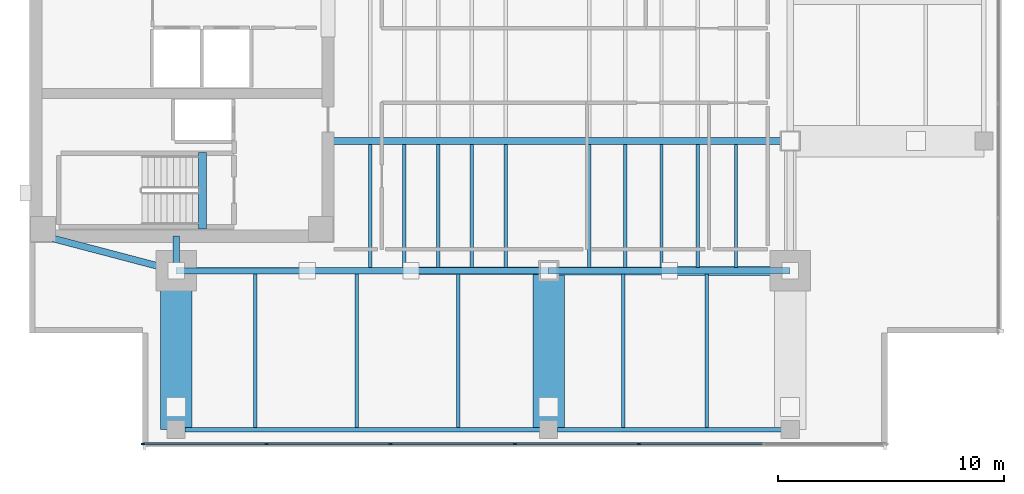
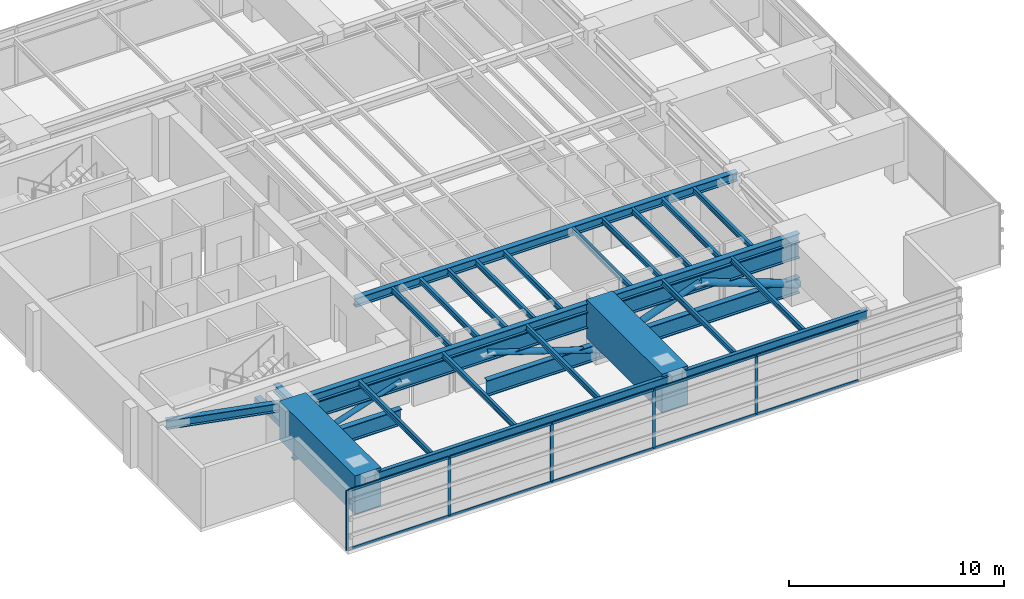
# One storey, part 2 of 13: 25 beams, 24 members, 1 element without a shape of its own.
"""IFC4 building model written with IfcOpenShell, lengths in metres."""

from ifc_helpers import new_model, si_unit, direction, frame, origin, origin_2d, place, context, subcontext, project, spatial, rectangle, hollow_circle, i_section, extrude, material, layer, layer_set, material_profile, profile_set, type_object, element, aggregate, save


model = new_model("IFC4")

# Units and contexts
model_context = context("Model", 3, precision=1e-05, world=origin(), true_north=direction((0.0, 1.0)))
body_context = subcontext(model_context, "Body", "Model", "MODEL_VIEW")
ifc_project = project(units=[si_unit("LENGTHUNIT", "METRE"), si_unit("AREAUNIT", "SQUARE_METRE"), si_unit("VOLUMEUNIT", "CUBIC_METRE"), si_unit("PLANEANGLEUNIT", "RADIAN"), si_unit("MASSUNIT", "GRAM", prefix="KILO")], contexts=[model_context])

# Site, building, storey
site_placement = place(None, origin())
site = spatial("IfcSite", under=ifc_project, at=site_placement, CompositionType="ELEMENT")
building_placement = place(site_placement, origin())
building = spatial("IfcBuilding", under=site, at=building_placement, Name="Kinhvarn Gate Tower", CompositionType="ELEMENT")
storey_placement = place(building_placement, frame((0.0, 0.0, 241.300048828125)))
storey = spatial("IfcBuildingStorey", under=building, at=storey_placement, Name="L64", CompositionType="ELEMENT", Elevation=241.300048828125)

# Beams
ifc_material_1 = material(Name="Concrete C50/60", Category="concrete")
ifc_material_profile_1 = material_profile(ifc_material_1, rectangle(XDim=0.340087890625, YDim=0.320068359375, at=origin_2d()), Name="RC 340x320")
ifc_profile_set_1 = profile_set([ifc_material_profile_1], Name="Concrete C50/60")
beam_type_1 = type_object("IfcBeamType", Name="BM-LND-500", PredefinedType="BEAM", material=ifc_profile_set_1)
beam_1_placement = place(storey_placement, frame((12.1650390625, 14.60009765625, -0.16015625), z_axis=(0.0, 1.0, 0.0), x_axis=(-1.0, 0.0, 0.0)))
element("IfcBeam", 1, at=beam_1_placement, inside=storey, type_object=beam_type_1, Name="Stair ST1 Landing Nosing Beam (L64)", PredefinedType="BEAM", context=body_context, shape_type="SweptSolid", body=[
    extrude(rectangle(XDim=0.340087890625, YDim=0.320068359375, at=origin_2d()), origin(), (0.0, 0.0, 1.0), 3.39990234375),
])
ifc_material_2 = material(Name="Concrete C60/75", Category="concrete")
ifc_material_profile_2 = material_profile(ifc_material_2, rectangle(XDim=1.39990234375, YDim=2.199951171875, at=origin_2d()), Name="RC 1400x2200")
ifc_profile_set_2 = profile_set([ifc_material_profile_2], Name="Concrete C60/75")
beam_type_2 = type_object("IfcBeamType", Name="BM-TG-2200", PredefinedType="BEAM", material=ifc_profile_set_2)
for number, where, z_axis, x_axis, name in (
    (2, (11.0, 5.719970703125, 2.449951171875), (0.0, 1.0, 0.0), (-1.0, 0.0, 0.0), "Setback Transfer Girder TG-02-L65-CS-0"),
    (3, (27.5, 5.719970703125, 2.449951171875), (0.0, 1.0, 0.0), (-1.0, 0.0, 0.0), "Setback Transfer Girder TG-02-L65-CS-1"),
):
    element("IfcBeam", number, at=place(storey_placement, frame(where, z_axis=z_axis, x_axis=x_axis)), inside=storey, type_object=beam_type_2, Name=name, PredefinedType="BEAM", context=body_context, shape_type="SweptSolid", body=[
        extrude(rectangle(XDim=1.39990234375, YDim=2.199951171875, at=origin_2d()), origin(), (0.0, 0.0, 1.0), 7.030029296875),
    ])

# Curtain wall, members
ifc_material_3 = material(Name="Anodised aluminium AW-6063", Category="aluminium")
ifc_layer = layer(ifc_material_3, 0.179931640625)
ifc_layer_set = layer_set([ifc_layer], Name="Anodised aluminium AW-6063")
curtain_wall_type = type_object("IfcCurtainWallType", Name="CW-SYS-3", PredefinedType="NOTDEFINED", material=ifc_layer_set)
curtain_wall_placement = place(storey_placement, origin())
curtain_wall = element("IfcCurtainWall", 4, at=curtain_wall_placement, inside=storey, type_object=curtain_wall_type, Name="Curtain Wall CW3 (L64)", PredefinedType="NOTDEFINED")
ifc_material_profile_3 = material_profile(ifc_material_3, rectangle(XDim=0.06494140625, YDim=0.159912109375, at=origin_2d()), Name="ALU 65x160")
ifc_profile_set_3 = profile_set([ifc_material_profile_3], Name="Anodised aluminium AW-6063")
member_type_1 = type_object("IfcMemberType", Name="CW-MUL-160", PredefinedType="MULLION", material=ifc_profile_set_3)
member_1_placement = place(storey_placement, frame((9.532470703125, 5.090087890625, 0.0), z_axis=(0.0, 0.0, 1.0), x_axis=(0.0, 1.0, 0.0)))
member_1 = element("IfcMember", 5, at=member_1_placement, type_object=member_type_1, Name="CW3 mullion 1", PredefinedType="MULLION", context=body_context, shape_type="SweptSolid", body=[
    extrude(rectangle(XDim=0.06494140625, YDim=0.159912109375, at=origin_2d()), origin(), (0.0, 0.0, 1.0), 3.389892578125),
])
member_2_placement = place(storey_placement, frame((15.0, 5.090087890625, 0.0), z_axis=(0.0, 0.0, 1.0), x_axis=(0.0, 1.0, 0.0)))
member_2 = element("IfcMember", 6, at=member_2_placement, type_object=member_type_1, Name="CW3 mullion 2", PredefinedType="MULLION", context=body_context, shape_type="SweptSolid", body=[
    extrude(rectangle(XDim=0.06494140625, YDim=0.159912109375, at=origin_2d()), origin(), (0.0, 0.0, 1.0), 3.389892578125),
])
member_3_placement = place(storey_placement, frame((20.5, 5.090087890625, 0.0), z_axis=(0.0, 0.0, 1.0), x_axis=(0.0, 1.0, 0.0)))
member_3 = element("IfcMember", 7, at=member_3_placement, type_object=member_type_1, Name="CW3 mullion 3", PredefinedType="MULLION", context=body_context, shape_type="SweptSolid", body=[
    extrude(rectangle(XDim=0.06494140625, YDim=0.159912109375, at=origin_2d()), origin(), (0.0, 0.0, 1.0), 3.389892578125),
])
member_4_placement = place(storey_placement, frame((26.0, 5.090087890625, 0.0), z_axis=(0.0, 0.0, 1.0), x_axis=(0.0, 1.0, 0.0)))
member_4 = element("IfcMember", 8, at=member_4_placement, type_object=member_type_1, Name="CW3 mullion 4", PredefinedType="MULLION", context=body_context, shape_type="SweptSolid", body=[
    extrude(rectangle(XDim=0.06494140625, YDim=0.159912109375, at=origin_2d()), origin(), (0.0, 0.0, 1.0), 3.389892578125),
])
member_5_placement = place(storey_placement, frame((31.5, 5.090087890625, 0.0), z_axis=(0.0, 0.0, 1.0), x_axis=(0.0, 1.0, 0.0)))
member_5 = element("IfcMember", 9, at=member_5_placement, type_object=member_type_1, Name="CW3 mullion 5", PredefinedType="MULLION", context=body_context, shape_type="SweptSolid", body=[
    extrude(rectangle(XDim=0.06494140625, YDim=0.159912109375, at=origin_2d()), origin(), (0.0, 0.0, 1.0), 3.389892578125),
])
ifc_material_profile_4 = material_profile(ifc_material_3, rectangle(XDim=0.070068359375, YDim=0.139892578125, at=origin_2d()), Name="ALU 70x140")
ifc_profile_set_4 = profile_set([ifc_material_profile_4], Name="Anodised aluminium AW-6063")
member_type_2 = type_object("IfcMemberType", Name="CW-TRN-140", PredefinedType="USERDEFINED", material=ifc_profile_set_4)
member_6_placement = place(storey_placement, frame((9.56494140625, 5.090087890625, 0.034912109375), z_axis=(1.0, 0.0, 0.0), x_axis=(0.0, 1.0, 0.0)))
member_6 = element("IfcMember", 10, at=member_6_placement, type_object=member_type_2, Name="CW3 transom 1.1", ObjectType="TRANSOM", PredefinedType="USERDEFINED", context=body_context, shape_type="SweptSolid", body=[
    extrude(rectangle(XDim=0.070068359375, YDim=0.139892578125, at=origin_2d()), origin(), (0.0, 0.0, 1.0), 5.402587890625),
])
member_7_placement = place(storey_placement, frame((9.56494140625, 5.090087890625, 3.35498046875), z_axis=(1.0, 0.0, 0.0), x_axis=(0.0, 1.0, 0.0)))
member_7 = element("IfcMember", 11, at=member_7_placement, type_object=member_type_2, Name="CW3 transom 1.2", ObjectType="TRANSOM", PredefinedType="USERDEFINED", context=body_context, shape_type="SweptSolid", body=[
    extrude(rectangle(XDim=0.070068359375, YDim=0.139892578125, at=origin_2d()), origin(), (0.0, 0.0, 1.0), 5.402587890625),
])
member_8_placement = place(storey_placement, frame((15.032470703125, 5.090087890625, 0.034912109375), z_axis=(1.0, 0.0, 0.0), x_axis=(0.0, 1.0, 0.0)))
member_8 = element("IfcMember", 12, at=member_8_placement, type_object=member_type_2, Name="CW3 transom 2.1", ObjectType="TRANSOM", PredefinedType="USERDEFINED", context=body_context, shape_type="SweptSolid", body=[
    extrude(rectangle(XDim=0.070068359375, YDim=0.139892578125, at=origin_2d()), origin(), (0.0, 0.0, 1.0), 5.43505859375),
])
member_9_placement = place(storey_placement, frame((15.032470703125, 5.090087890625, 3.35498046875), z_axis=(1.0, 0.0, 0.0), x_axis=(0.0, 1.0, 0.0)))
member_9 = element("IfcMember", 13, at=member_9_placement, type_object=member_type_2, Name="CW3 transom 2.2", ObjectType="TRANSOM", PredefinedType="USERDEFINED", context=body_context, shape_type="SweptSolid", body=[
    extrude(rectangle(XDim=0.070068359375, YDim=0.139892578125, at=origin_2d()), origin(), (0.0, 0.0, 1.0), 5.43505859375),
])
member_10_placement = place(storey_placement, frame((20.532470703125, 5.090087890625, 0.034912109375), z_axis=(1.0, 0.0, 0.0), x_axis=(0.0, 1.0, 0.0)))
member_10 = element("IfcMember", 14, at=member_10_placement, type_object=member_type_2, Name="CW3 transom 3.1", ObjectType="TRANSOM", PredefinedType="USERDEFINED", context=body_context, shape_type="SweptSolid", body=[
    extrude(rectangle(XDim=0.070068359375, YDim=0.139892578125, at=origin_2d()), origin(), (0.0, 0.0, 1.0), 5.43505859375),
])
member_11_placement = place(storey_placement, frame((20.532470703125, 5.090087890625, 3.35498046875), z_axis=(1.0, 0.0, 0.0), x_axis=(0.0, 1.0, 0.0)))
member_11 = element("IfcMember", 15, at=member_11_placement, type_object=member_type_2, Name="CW3 transom 3.2", ObjectType="TRANSOM", PredefinedType="USERDEFINED", context=body_context, shape_type="SweptSolid", body=[
    extrude(rectangle(XDim=0.070068359375, YDim=0.139892578125, at=origin_2d()), origin(), (0.0, 0.0, 1.0), 5.43505859375),
])
member_12_placement = place(storey_placement, frame((26.032470703125, 5.090087890625, 0.034912109375), z_axis=(1.0, 0.0, 0.0), x_axis=(0.0, 1.0, 0.0)))
member_12 = element("IfcMember", 16, at=member_12_placement, type_object=member_type_2, Name="CW3 transom 4.1", ObjectType="TRANSOM", PredefinedType="USERDEFINED", context=body_context, shape_type="SweptSolid", body=[
    extrude(rectangle(XDim=0.070068359375, YDim=0.139892578125, at=origin_2d()), origin(), (0.0, 0.0, 1.0), 5.43505859375),
])
member_13_placement = place(storey_placement, frame((26.032470703125, 5.090087890625, 3.35498046875), z_axis=(1.0, 0.0, 0.0), x_axis=(0.0, 1.0, 0.0)))
member_13 = element("IfcMember", 17, at=member_13_placement, type_object=member_type_2, Name="CW3 transom 4.2", ObjectType="TRANSOM", PredefinedType="USERDEFINED", context=body_context, shape_type="SweptSolid", body=[
    extrude(rectangle(XDim=0.070068359375, YDim=0.139892578125, at=origin_2d()), origin(), (0.0, 0.0, 1.0), 5.43505859375),
])
member_14_placement = place(storey_placement, frame((31.532470703125, 5.090087890625, 0.034912109375), z_axis=(1.0, 0.0, 0.0), x_axis=(0.0, 1.0, 0.0)))
member_14 = element("IfcMember", 18, at=member_14_placement, type_object=member_type_2, Name="CW3 transom 5.1", ObjectType="TRANSOM", PredefinedType="USERDEFINED", context=body_context, shape_type="SweptSolid", body=[
    extrude(rectangle(XDim=0.070068359375, YDim=0.139892578125, at=origin_2d()), origin(), (0.0, 0.0, 1.0), 5.43505859375),
])
member_15_placement = place(storey_placement, frame((31.532470703125, 5.090087890625, 3.35498046875), z_axis=(1.0, 0.0, 0.0), x_axis=(0.0, 1.0, 0.0)))
member_15 = element("IfcMember", 19, at=member_15_placement, type_object=member_type_2, Name="CW3 transom 5.2", ObjectType="TRANSOM", PredefinedType="USERDEFINED", context=body_context, shape_type="SweptSolid", body=[
    extrude(rectangle(XDim=0.070068359375, YDim=0.139892578125, at=origin_2d()), origin(), (0.0, 0.0, 1.0), 5.43505859375),
])
aggregate(curtain_wall, [member_1, member_2, member_3, member_4, member_5, member_6, member_7, member_8, member_9, member_10, member_11, member_12, member_13, member_14, member_15])

# Members
ifc_material_4 = material(Name="Steel S355", Category="steel")
ifc_material_profile_5 = material_profile(ifc_material_4, hollow_circle(Radius=0.136474609375, WallThickness=0.011962890625, at=origin_2d()), Name="CHS 273x12")
ifc_profile_set_5 = profile_set([ifc_material_profile_5], Name="Steel S355")
member_type_3 = type_object("IfcMemberType", Name="MBR-CHS273x12", PredefinedType="BRACE", material=ifc_profile_set_5)
member_16_placement = place(storey_placement, frame((11.0, 12.75, 0.449951171875), z_axis=(0.945875775647, 0.0, 0.324528915574), x_axis=(0.0, 1.0, 0.0)))
element("IfcMember", 20, at=member_16_placement, inside=storey, type_object=member_type_3, Name="Outrigger Truss Diagonal BR-11 (CHS 273x12)", PredefinedType="BRACE", context=body_context, shape_type="SweptSolid", body=[
    extrude(hollow_circle(Radius=0.136474609375, WallThickness=0.011962890625, at=origin_2d()), origin(), (0.0, 0.0, 1.0), 6.1318359375),
])
ifc_material_profile_6 = material_profile(ifc_material_4, hollow_circle(Radius=0.161865234375, WallThickness=0.01611328125, at=origin_2d()), Name="CHS 323.9x16")
ifc_profile_set_6 = profile_set([ifc_material_profile_6], Name="Steel S355")
member_type_4 = type_object("IfcMemberType", Name="MBR-CHS323_9x16", PredefinedType="BRACE", material=ifc_profile_set_6)
member_17_placement = place(storey_placement, frame((21.39990234375, 12.75, 2.43994140625), z_axis=(0.950691799601, 0.0, -0.310137231191), x_axis=(0.0, 1.0, 0.0)))
element("IfcMember", 21, at=member_17_placement, inside=storey, type_object=member_type_4, Name="Outrigger Truss Diagonal BR-12 (CHS 323.9x16)", PredefinedType="BRACE", context=body_context, shape_type="SweptSolid", body=[
    extrude(hollow_circle(Radius=0.161865234375, WallThickness=0.01611328125, at=origin_2d()), origin(), (0.0, 0.0, 1.0), 6.41650390625),
])
ifc_material_profile_7 = material_profile(ifc_material_4, hollow_circle(Radius=0.177734375, WallThickness=0.01611328125, at=origin_2d()), Name="CHS 355.6x16")
ifc_profile_set_7 = profile_set([ifc_material_profile_7], Name="Steel S355")
member_type_5 = type_object("IfcMemberType", Name="MBR-CHS355_6x16", PredefinedType="STRUT", material=ifc_profile_set_7)
member_18_placement = place(storey_placement, frame((27.5, 12.75, 0.449951171875), z_axis=(0.937264431325, 0.0, 0.348619256171), x_axis=(0.0, 1.0, 0.0)))
element("IfcMember", 22, at=member_18_placement, inside=storey, type_object=member_type_5, Name="Outrigger Truss Diagonal SR-13 (CHS 355.6x16)", PredefinedType="STRUT", context=body_context, shape_type="SweptSolid", body=[
    extrude(hollow_circle(Radius=0.177734375, WallThickness=0.01611328125, at=origin_2d()), origin(), (0.0, 0.0, 1.0), 5.708251953125),
])
ifc_material_profile_8 = material_profile(ifc_material_4, hollow_circle(Radius=0.203125, WallThickness=0.02001953125, at=origin_2d()), Name="CHS 406.4x20")
ifc_profile_set_8 = profile_set([ifc_material_profile_8], Name="Steel S355")
member_type_6 = type_object("IfcMemberType", Name="MBR-CHS406_4x20", PredefinedType="STRUT", material=ifc_profile_set_8)
member_19_placement = place(storey_placement, frame((32.85009765625, 12.75, 2.43994140625), z_axis=(0.937259232929, 0.0, -0.348633231762), x_axis=(0.0, 1.0, 0.0)))
element("IfcMember", 23, at=member_19_placement, inside=storey, type_object=member_type_6, Name="Outrigger Truss Diagonal SR-14 (CHS 406.4x20)", PredefinedType="STRUT", context=body_context, shape_type="SweptSolid", body=[
    extrude(hollow_circle(Radius=0.203125, WallThickness=0.02001953125, at=origin_2d()), origin(), (0.0, 0.0, 1.0), 5.7080078125),
])

# Beams
ifc_material_profile_9 = material_profile(ifc_material_4, i_section(OverallWidth=0.300048828125, OverallDepth=0.449951171875, WebThickness=0.013916015625, FlangeThickness=0.02587890625, at=origin_2d()), Name="HEB 450")
ifc_profile_set_9 = profile_set([ifc_material_profile_9], Name="Steel S355")
beam_type_3 = type_object("IfcBeamType", Name="STL-HEB450", PredefinedType="BEAM", material=ifc_profile_set_9)
beam_2_placement = place(storey_placement, frame((11.0, 12.75, 3.1650390625), z_axis=(0.0, 1.0, 0.0), x_axis=(-1.0, 0.0, 0.0)))
element("IfcBeam", 24, at=beam_2_placement, inside=storey, type_object=beam_type_3, Name="Floor Beam PG-13 (L64 MCW-CS)", PredefinedType="BEAM", context=body_context, shape_type="SweptSolid", body=[
    extrude(i_section(OverallWidth=0.300048828125, OverallDepth=0.449951171875, WebThickness=0.013916015625, FlangeThickness=0.02587890625, at=origin_2d()), origin(), (0.0, 0.0, 1.0), 1.550048828125),
])
ifc_material_profile_10 = material_profile(ifc_material_4, i_section(OverallWidth=0.300048828125, OverallDepth=0.5, WebThickness=0.014404296875, FlangeThickness=0.028076171875, at=origin_2d()), Name="HEB 500")
ifc_profile_set_10 = profile_set([ifc_material_profile_10], Name="Steel S355")
beam_type_4 = type_object("IfcBeamType", Name="STL-HEB500", PredefinedType="BEAM", material=ifc_profile_set_10)
beam_3_placement = place(storey_placement, frame((11.0, 12.75, 3.139892578125), z_axis=(1.0, 0.0, 0.0), x_axis=(0.0, 1.0, 0.0)))
element("IfcBeam", 25, at=beam_3_placement, inside=storey, type_object=beam_type_4, Name="Floor Beam PG-14 (L64 MG-S1)", PredefinedType="BEAM", context=body_context, shape_type="SweptSolid", body=[
    extrude(i_section(OverallWidth=0.300048828125, OverallDepth=0.5, WebThickness=0.014404296875, FlangeThickness=0.028076171875, at=origin_2d()), origin(), (0.0, 0.0, 1.0), 16.5),
])
beam_4_placement = place(storey_placement, frame((27.5, 12.75, 3.139892578125), z_axis=(1.0, 0.0, 0.0), x_axis=(0.0, 1.0, 0.0)))
element("IfcBeam", 26, at=beam_4_placement, inside=storey, type_object=beam_type_4, Name="Floor Beam PG-14 (L64 MG-S2)", PredefinedType="BEAM", context=body_context, shape_type="SweptSolid", body=[
    extrude(i_section(OverallWidth=0.300048828125, OverallDepth=0.5, WebThickness=0.014404296875, FlangeThickness=0.028076171875, at=origin_2d()), origin(), (0.0, 0.0, 1.0), 10.699951171875),
])
beam_5_placement = place(storey_placement, frame((5.10009765625, 14.300048828125, 3.139892578125), z_axis=(0.967177623957, -0.254101246979, 0.0), x_axis=(0.254101246979, 0.967177623957, 0.0)))
element("IfcBeam", 27, at=beam_5_placement, inside=storey, type_object=beam_type_4, Name="Floor Beam PG-14 (L64 MG-SW-DIAG)", PredefinedType="BEAM", context=body_context, shape_type="SweptSolid", body=[
    extrude(i_section(OverallWidth=0.300048828125, OverallDepth=0.5, WebThickness=0.014404296875, FlangeThickness=0.028076171875, at=origin_2d()), origin(), (0.0, 0.0, 1.0), 6.10009765625),
])
beam_6_placement = place(storey_placement, frame((17.64990234375, 18.5, 3.139892578125), z_axis=(1.0, 0.0, 0.0), x_axis=(0.0, 1.0, 0.0)))
element("IfcBeam", 28, at=beam_6_placement, inside=storey, type_object=beam_type_4, Name="Floor Beam PG-14 (L64 EW1-Y18)", PredefinedType="BEAM", context=body_context, shape_type="SweptSolid", body=[
    extrude(i_section(OverallWidth=0.300048828125, OverallDepth=0.5, WebThickness=0.014404296875, FlangeThickness=0.028076171875, at=origin_2d()), origin(), (0.0, 0.0, 1.0), 20.550048828125),
])

# Members
ifc_material_profile_11 = material_profile(ifc_material_4, i_section(OverallWidth=0.300048828125, OverallDepth=0.89990234375, WebThickness=0.0185546875, FlangeThickness=0.034912109375, at=origin_2d()), Name="HEB 900")
ifc_profile_set_11 = profile_set([ifc_material_profile_11], Name="Steel S355")
member_type_7 = type_object("IfcMemberType", Name="STL-HEB900", PredefinedType="CHORD", material=ifc_profile_set_11)
member_20_placement = place(storey_placement, frame((11.0, 12.75, 0.449951171875), z_axis=(1.0, 0.0, 0.0), x_axis=(0.0, 1.0, 0.0)))
element("IfcMember", 29, at=member_20_placement, inside=storey, type_object=member_type_7, Name="Outrigger Belt Chord BC-20 (L64 OUT-S1A-BOT)", PredefinedType="CHORD", context=body_context, shape_type="SweptSolid", body=[
    extrude(i_section(OverallWidth=0.300048828125, OverallDepth=0.89990234375, WebThickness=0.0185546875, FlangeThickness=0.034912109375, at=origin_2d()), origin(), (0.0, 0.0, 1.0), 5.800048828125),
])
member_21_placement = place(storey_placement, frame((21.39990234375, 12.75, 0.449951171875), z_axis=(1.0, 0.0, 0.0), x_axis=(0.0, 1.0, 0.0)))
element("IfcMember", 30, at=member_21_placement, inside=storey, type_object=member_type_7, Name="Outrigger Belt Chord BC-20 (L64 OUT-S1B-BOT)", PredefinedType="CHORD", context=body_context, shape_type="SweptSolid", body=[
    extrude(i_section(OverallWidth=0.300048828125, OverallDepth=0.89990234375, WebThickness=0.0185546875, FlangeThickness=0.034912109375, at=origin_2d()), origin(), (0.0, 0.0, 1.0), 6.10009765625),
])
member_22_placement = place(storey_placement, frame((27.5, 12.75, 0.449951171875), z_axis=(1.0, 0.0, 0.0), x_axis=(0.0, 1.0, 0.0)))
element("IfcMember", 31, at=member_22_placement, inside=storey, type_object=member_type_7, Name="Outrigger Belt Chord BC-20 (L64 OUT-S2-BOT)", PredefinedType="CHORD", context=body_context, shape_type="SweptSolid", body=[
    extrude(i_section(OverallWidth=0.300048828125, OverallDepth=0.89990234375, WebThickness=0.0185546875, FlangeThickness=0.034912109375, at=origin_2d()), origin(), (0.0, 0.0, 1.0), 10.699951171875),
])
member_23_placement = place(storey_placement, frame((11.0, 12.75, 2.43994140625), z_axis=(1.0, 0.0, 0.0), x_axis=(0.0, 1.0, 0.0)))
element("IfcMember", 32, at=member_23_placement, inside=storey, type_object=member_type_7, Name="Outrigger Belt Chord BC-20 (L64 OUT-S1-TOP)", PredefinedType="CHORD", context=body_context, shape_type="SweptSolid", body=[
    extrude(i_section(OverallWidth=0.300048828125, OverallDepth=0.89990234375, WebThickness=0.0185546875, FlangeThickness=0.034912109375, at=origin_2d()), origin(), (0.0, 0.0, 1.0), 16.5),
])
member_24_placement = place(storey_placement, frame((27.5, 12.75, 2.43994140625), z_axis=(1.0, 0.0, 0.0), x_axis=(0.0, 1.0, 0.0)))
element("IfcMember", 33, at=member_24_placement, inside=storey, type_object=member_type_7, Name="Outrigger Belt Chord BC-20 (L64 OUT-S2-TOP)", PredefinedType="CHORD", context=body_context, shape_type="SweptSolid", body=[
    extrude(i_section(OverallWidth=0.300048828125, OverallDepth=0.89990234375, WebThickness=0.0185546875, FlangeThickness=0.034912109375, at=origin_2d()), origin(), (0.0, 0.0, 1.0), 10.699951171875),
])

# Beams
ifc_material_profile_12 = material_profile(ifc_material_4, i_section(OverallWidth=0.14990234375, OverallDepth=0.300048828125, WebThickness=0.007080078125, FlangeThickness=0.0107421875, at=origin_2d()), Name="IPE 300")
ifc_profile_set_12 = profile_set([ifc_material_profile_12], Name="Steel S355")
beam_type_5 = type_object("IfcBeamType", Name="STL-IPE300", PredefinedType="JOIST", material=ifc_profile_set_12)
for number, where, z_axis, x_axis, name in (
    (34, (19.60009765625, 12.89990234375, 3.239990234375), (0.0, 1.0, 0.0), (-1.0, 0.0, 0.0), "Floor Joist SB-02 (L64 JC-X196-0)"),
    (35, (21.10009765625, 12.89990234375, 3.239990234375), (0.0, 1.0, 0.0), (-1.0, 0.0, 0.0), "Floor Joist SB-02 (L64 JC-X211-0)"),
    (36, (22.60009765625, 12.89990234375, 3.239990234375), (0.0, 1.0, 0.0), (-1.0, 0.0, 0.0), "Floor Joist SB-02 (L64 JC-X226-0)"),
    (37, (24.10009765625, 12.89990234375, 3.239990234375), (0.0, 1.0, 0.0), (-1.0, 0.0, 0.0), "Floor Joist SB-02 (L64 JC-X241-0)"),
    (38, (25.60009765625, 12.89990234375, 3.239990234375), (0.0, 1.0, 0.0), (-1.0, 0.0, 0.0), "Floor Joist SB-02 (L64 JC-X256-0)"),
    (39, (29.300048828125, 12.89990234375, 3.239990234375), (0.0, 1.0, 0.0), (-1.0, 0.0, 0.0), "Floor Joist SB-02 (L64 JC-X293-0)"),
    (40, (30.89990234375, 12.89990234375, 3.239990234375), (0.0, 1.0, 0.0), (-1.0, 0.0, 0.0), "Floor Joist SB-02 (L64 JC-X309-0)"),
    (41, (32.5, 12.89990234375, 3.239990234375), (0.0, 1.0, 0.0), (-1.0, 0.0, 0.0), "Floor Joist SB-02 (L64 JC-X325-0)"),
    (42, (34.10009765625, 12.89990234375, 3.239990234375), (0.0, 1.0, 0.0), (-1.0, 0.0, 0.0), "Floor Joist SB-02 (L64 JC-X341-0)"),
    (43, (35.800048828125, 12.89990234375, 3.239990234375), (0.0, 1.0, 0.0), (-1.0, 0.0, 0.0), "Floor Joist SB-02 (L64 JC-X358-0)"),
):
    element("IfcBeam", number, at=place(storey_placement, frame(where, z_axis=z_axis, x_axis=x_axis)), inside=storey, type_object=beam_type_5, Name=name, PredefinedType="JOIST", context=body_context, shape_type="SweptSolid", body=[
        extrude(i_section(OverallWidth=0.14990234375, OverallDepth=0.300048828125, WebThickness=0.007080078125, FlangeThickness=0.0107421875, at=origin_2d()), origin(), (0.0, 0.0, 1.0), 5.4501953125),
    ])
for number, where, z_axis, x_axis, name in (
    (44, (14.5, 5.820068359375, 3.239990234375), (0.0, 1.0, 0.0), (-1.0, 0.0, 0.0), "Floor Joist SB-02 (L64 JS-X145)"),
    (45, (19.0, 5.820068359375, 3.239990234375), (0.0, 1.0, 0.0), (-1.0, 0.0, 0.0), "Floor Joist SB-02 (L64 JS-X190)"),
    (46, (23.5, 5.820068359375, 3.239990234375), (0.0, 1.0, 0.0), (-1.0, 0.0, 0.0), "Floor Joist SB-02 (L64 JS-X235)"),
    (47, (30.800048828125, 5.820068359375, 3.239990234375), (0.0, 1.0, 0.0), (-1.0, 0.0, 0.0), "Floor Joist SB-02 (L64 JS-X308)"),
    (48, (34.5, 5.820068359375, 3.239990234375), (0.0, 1.0, 0.0), (-1.0, 0.0, 0.0), "Floor Joist SB-02 (L64 JS-X345)"),
):
    element("IfcBeam", number, at=place(storey_placement, frame(where, z_axis=z_axis, x_axis=x_axis)), inside=storey, type_object=beam_type_5, Name=name, PredefinedType="JOIST", context=body_context, shape_type="SweptSolid", body=[
        extrude(i_section(OverallWidth=0.14990234375, OverallDepth=0.300048828125, WebThickness=0.007080078125, FlangeThickness=0.0107421875, at=origin_2d()), origin(), (0.0, 0.0, 1.0), 6.780029296875),
    ])
ifc_material_profile_13 = material_profile(ifc_material_4, i_section(OverallWidth=0.199951171875, OverallDepth=0.5, WebThickness=0.01025390625, FlangeThickness=0.01611328125, at=origin_2d()), Name="IPE 500")
ifc_profile_set_13 = profile_set([ifc_material_profile_13], Name="Steel S355")
beam_type_6 = type_object("IfcBeamType", Name="STL-IPE500", PredefinedType="SPANDREL", material=ifc_profile_set_13)
beam_7_placement = place(storey_placement, frame((11.385009765625, 5.719970703125, 3.139892578125), z_axis=(1.0, 0.0, 0.0), x_axis=(0.0, 1.0, 0.0)))
element("IfcBeam", 49, at=beam_7_placement, inside=storey, type_object=beam_type_6, Name="Floor Spandrel SB-07 (L64 SP-S1)", PredefinedType="SPANDREL", context=body_context, shape_type="SweptSolid", body=[
    extrude(i_section(OverallWidth=0.199951171875, OverallDepth=0.5, WebThickness=0.01025390625, FlangeThickness=0.01611328125, at=origin_2d()), origin(), (0.0, 0.0, 1.0), 15.72998046875),
])
beam_8_placement = place(storey_placement, frame((27.885009765625, 5.719970703125, 3.139892578125), z_axis=(1.0, 0.0, 0.0), x_axis=(0.0, 1.0, 0.0)))
element("IfcBeam", 50, at=beam_8_placement, inside=storey, type_object=beam_type_6, Name="Floor Spandrel SB-07 (L64 SP-S2)", PredefinedType="SPANDREL", context=body_context, shape_type="SweptSolid", body=[
    extrude(i_section(OverallWidth=0.199951171875, OverallDepth=0.5, WebThickness=0.01025390625, FlangeThickness=0.01611328125, at=origin_2d()), origin(), (0.0, 0.0, 1.0), 9.929931640625),
])

save(model, "model.ifc")
